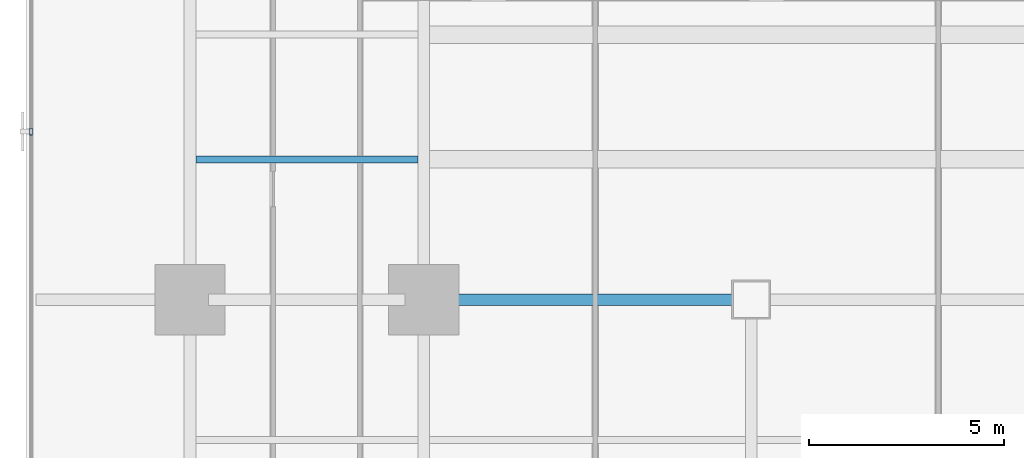
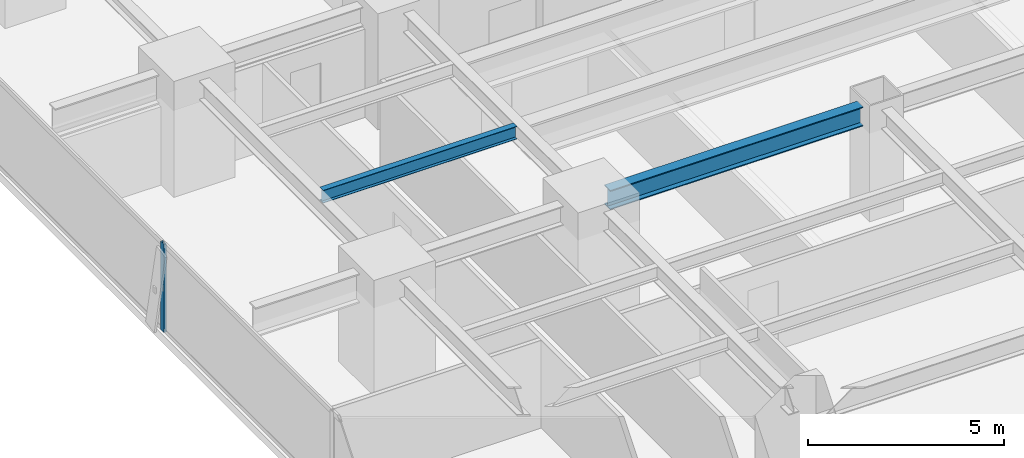
# One storey, part 9 of 33: 2 beams, 1 member, 1 element without a shape of its own.
"""IFC4 building model written with IfcOpenShell, lengths in metres."""

from ifc_helpers import new_model, si_unit, direction, frame, origin, origin_2d, place, context, subcontext, project, spatial, hollow_rectangle, i_section, extrude, source, transform, mapped, material, layer, layer_set, material_profile, profile_set, type_object, element, aggregate, save


model = new_model("IFC4")

# Units and contexts
model_context = context("Model", 3, precision=1e-05, world=origin(), true_north=direction((0.0, 1.0)))
body_context = subcontext(model_context, "Body", "Model", "MODEL_VIEW")
ifc_project = project(units=[si_unit("LENGTHUNIT", "METRE"), si_unit("AREAUNIT", "SQUARE_METRE"), si_unit("VOLUMEUNIT", "CUBIC_METRE"), si_unit("PLANEANGLEUNIT", "RADIAN"), si_unit("MASSUNIT", "GRAM", prefix="KILO")], contexts=[model_context])

# Site, building, storey
site_placement = place(None, origin())
site = spatial("IfcSite", under=ifc_project, at=site_placement, CompositionType="ELEMENT")
building_placement = place(site_placement, origin())
building = spatial("IfcBuilding", under=site, at=building_placement, Name="Sumidabori Civic Tower", CompositionType="ELEMENT")
storey_placement = place(building_placement, frame((0.0, 0.0, 27.199951171875)))
storey = spatial("IfcBuildingStorey", under=building, at=storey_placement, Name="L06", CompositionType="ELEMENT", Elevation=27.199951171875)

# Beams
ifc_material_1 = material(Name="Steel SN490", Category="steel")
ifc_material_profile_1 = material_profile(ifc_material_1, i_section(OverallWidth=0.300048828125, OverallDepth=0.60009765625, WebThickness=0.015380859375, FlangeThickness=0.030029296875, at=origin_2d()), Name="HE 600 B")
ifc_profile_set_1 = profile_set([ifc_material_profile_1], Name="Steel SN490")
beam_type_1 = type_object("IfcBeamType", Name="BM-GIRD-600", PredefinedType="BEAM", material=ifc_profile_set_1)
shared_shape_1 = source(origin(), body_context, "Body", "SweptSolid", [
    extrude(i_section(OverallWidth=0.300048828125, OverallDepth=0.60009765625, WebThickness=0.015380859375, FlangeThickness=0.030029296875, at=origin_2d()), origin(), (0.0, 0.0, 1.0), 7.440185546875),
])
beam_1_placement = place(storey_placement, frame((-16.320068359375, 0.0, 3.06005859375), z_axis=(1.0, 0.0, 0.0), x_axis=(0.0, 1.0, 0.0)))
element("IfcBeam", 1, at=beam_1_placement, inside=storey, type_object=beam_type_1, Name="Primary Girder L06 GX-14", PredefinedType="BEAM", context=body_context, shape_type="MappedRepresentation", body=[
    mapped(shared_shape_1, transform((0.0, 0.0, 0.0), x_axis=(1.0, 0.0, 0.0), y_axis=(0.0, 1.0, 0.0), z_axis=(0.0, 0.0, 1.0), scale=1.0)),
])
ifc_material_profile_2 = material_profile(ifc_material_1, i_section(OverallWidth=0.179931640625, OverallDepth=0.39990234375, WebThickness=0.008544921875, FlangeThickness=0.013427734375, at=origin_2d()), Name="IPE 400")
ifc_profile_set_2 = profile_set([ifc_material_profile_2], Name="Steel SN490")
beam_type_2 = type_object("IfcBeamType", Name="BM-JST-400", PredefinedType="JOIST", material=ifc_profile_set_2)
shared_shape_2 = source(origin(), body_context, "Body", "SweptSolid", [
    extrude(i_section(OverallWidth=0.179931640625, OverallDepth=0.39990234375, WebThickness=0.008544921875, FlangeThickness=0.013427734375, at=origin_2d()), origin(), (0.0, 0.0, 1.0), 5.699951171875),
])
beam_2_placement = place(storey_placement, frame((-22.64990234375, 3.60009765625, 3.16015625), z_axis=(1.0, 0.0, 0.0), x_axis=(0.0, 1.0, 0.0)))
element("IfcBeam", 2, at=beam_2_placement, inside=storey, type_object=beam_type_2, Name="Outer Bay Floor Joist L06 JSTO-53", PredefinedType="JOIST", context=body_context, shape_type="MappedRepresentation", body=[
    mapped(shared_shape_2, transform((0.0, 0.0, 0.0), x_axis=(1.0, 0.0, 0.0), y_axis=(0.0, 1.0, 0.0), z_axis=(0.0, 0.0, 1.0), scale=1.0)),
])

# Curtain wall, member
ifc_material_2 = material(Name="Anodised Bronze Aluminium AW-6063-T6", Category="aluminium")
ifc_layer = layer(ifc_material_2, 0.179931640625, Name="Anodised Bronze Aluminium AW-6063-T6")
ifc_layer_set = layer_set([ifc_layer], Name="Anodised Bronze Aluminium AW-6063-T6")
curtain_wall_type = type_object("IfcCurtainWallType", Name="CW-SYS-2", PredefinedType="NOTDEFINED", material=ifc_layer_set)
curtain_wall_placement = place(storey_placement, origin())
curtain_wall = element("IfcCurtainWall", 3, at=curtain_wall_placement, inside=storey, type_object=curtain_wall_type, Name="Curtain Wall CW:L06:R10", PredefinedType="NOTDEFINED")
ifc_material_profile_3 = material_profile(ifc_material_2, hollow_rectangle(XDim=0.070068359375, YDim=0.179931640625, WallThickness=0.006103515625, at=origin_2d()), Name="ALU MULLION 180x70")
ifc_profile_set_3 = profile_set([ifc_material_profile_3], Name="Anodised Bronze Aluminium AW-6063-T6")
member_type = type_object("IfcMemberType", Name="CW-MUL-180", PredefinedType="MULLION", material=ifc_profile_set_3)
shared_shape_3 = source(origin(), body_context, "Body", "SweptSolid", [
    extrude(hollow_rectangle(XDim=0.070068359375, YDim=0.179931640625, WallThickness=0.006103515625, at=origin_2d()), origin(), (0.0, 0.0, 1.0), 2.739990234375),
])
member_placement = place(storey_placement, frame((-26.8798828125, 4.31396484375, 0.0), z_axis=(0.0, 0.0, 1.0), x_axis=(1.0, 0.0, 0.0)))
member = element("IfcMember", 4, at=member_placement, type_object=member_type, Name="CW-2 mullion 3", PredefinedType="MULLION", context=body_context, shape_type="MappedRepresentation", body=[
    mapped(shared_shape_3, transform((0.0, 0.0, 0.0), x_axis=(1.0, 0.0, 0.0), y_axis=(0.0, 1.0, 0.0), z_axis=(0.0, 0.0, 1.0), scale=1.0)),
])
aggregate(curtain_wall, [member])

save(model, "model.ifc")
